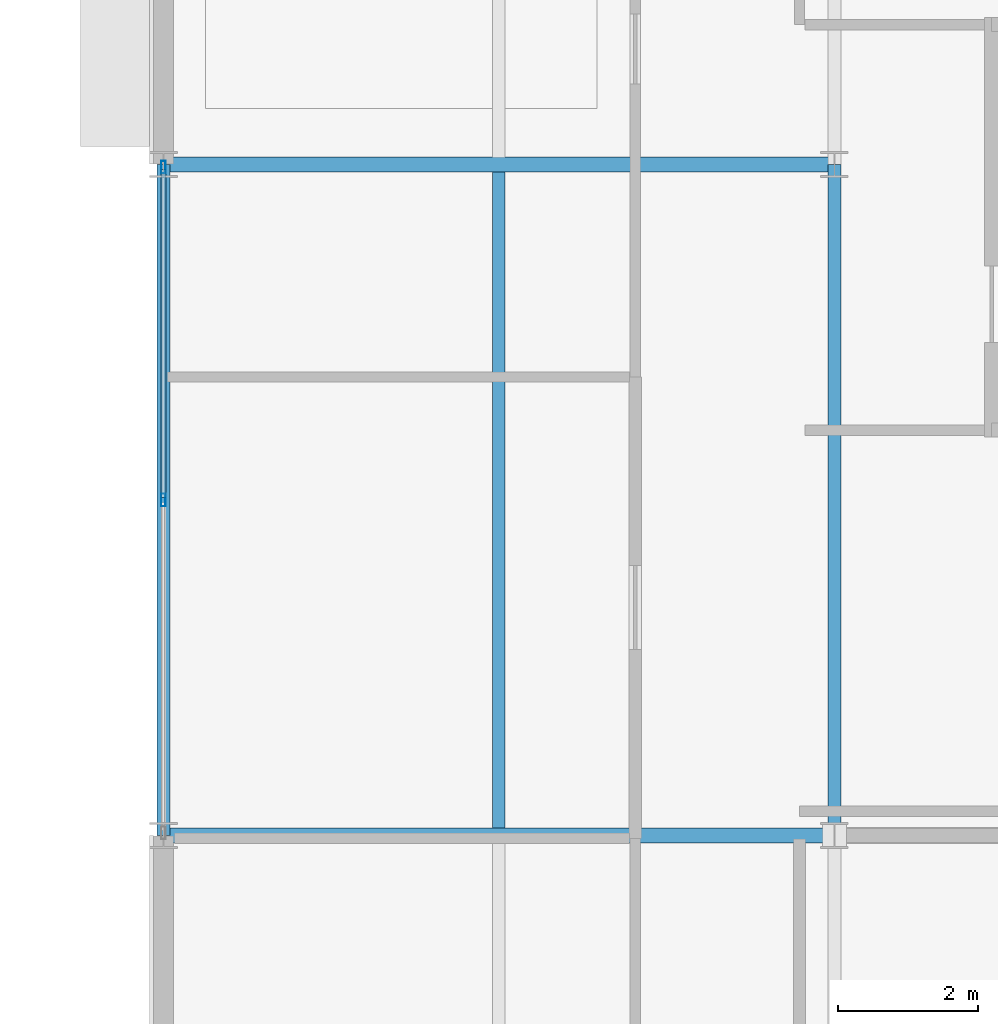
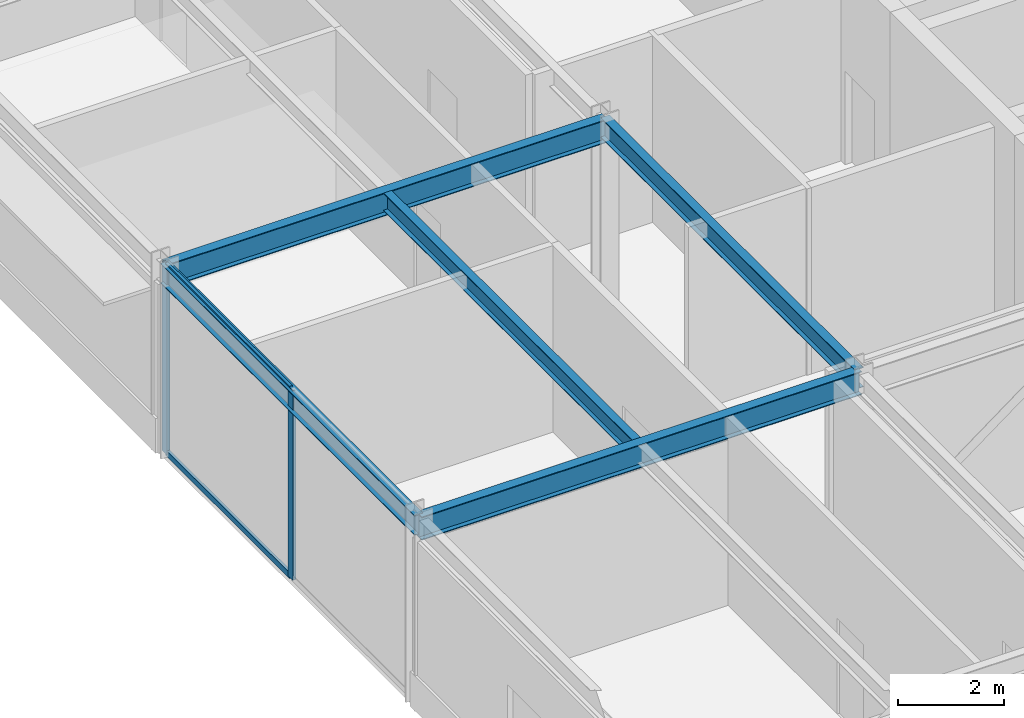
# One storey, part 81 of 133: 5 beams, 4 members, 1 element without a shape of its own.
"""IFC4 building model written with IfcOpenShell, lengths in metres."""

from ifc_helpers import new_model, si_unit, direction, frame, origin, origin_2d, place, context, subcontext, project, spatial, hollow_rectangle, i_section, extrude, material, material_profile, profile_set, type_object, element, aggregate, save


model = new_model("IFC4")

# Units and contexts
model_context = context("Model", 3, precision=1e-05, world=origin(), true_north=direction((0.0, 1.0)))
body_context = subcontext(model_context, "Body", "Model", "MODEL_VIEW")
ifc_project = project(units=[si_unit("LENGTHUNIT", "METRE"), si_unit("AREAUNIT", "SQUARE_METRE"), si_unit("VOLUMEUNIT", "CUBIC_METRE"), si_unit("PLANEANGLEUNIT", "RADIAN"), si_unit("MASSUNIT", "GRAM", prefix="KILO")], contexts=[model_context])

# Site, building, storey
site_placement = place(None, origin())
site = spatial("IfcSite", under=ifc_project, at=site_placement, CompositionType="ELEMENT")
building_placement = place(site_placement, origin())
building = spatial("IfcBuilding", under=site, at=building_placement, Name="Almandine Court Research Institute", CompositionType="ELEMENT")
storey_placement = place(building_placement, frame((0.0, 0.0, 9.800048828125)))
storey = spatial("IfcBuildingStorey", under=building, at=storey_placement, Name="L02", CompositionType="ELEMENT", Elevation=9.800048828125)

# Beams
ifc_material_1 = material(Name="Steel ASTM A992 Grade 50", Category="steel")
ifc_material_profile_1 = material_profile(ifc_material_1, i_section(OverallWidth=0.18994140625, OverallDepth=0.45703125, WebThickness=0.009033203125, FlangeThickness=0.014892578125, at=origin_2d()), Name="W460x74")
ifc_profile_set_1 = profile_set([ifc_material_profile_1], Name="Steel ASTM A992 Grade 50")
beam_type_1 = type_object("IfcBeamType", Name="Beam-B-01", PredefinedType="BEAM", material=ifc_profile_set_1)
for number, where, z_axis, x_axis, name in (
    (1, (153.60009765625, 15.60009765625, 4.140869140625), (0.0, 1.0, 0.0), (-1.0, 0.0, 0.0), "L02 V4 Primary Y Girder"),
    (2, (163.199951171875, 15.60009765625, 4.140869140625), (0.0, 1.0, 0.0), (-1.0, 0.0, 0.0), "L02 V4 Primary Y Girder"),
):
    element("IfcBeam", number, at=place(storey_placement, frame(where, z_axis=z_axis, x_axis=x_axis)), inside=storey, type_object=beam_type_1, Name=name, PredefinedType="BEAM", context=body_context, shape_type="SweptSolid", body=[
        extrude(i_section(OverallWidth=0.18994140625, OverallDepth=0.45703125, WebThickness=0.009033203125, FlangeThickness=0.014892578125, at=origin_2d()), origin(), (0.0, 0.0, 1.0), 9.599853515625),
    ])
ifc_material_profile_2 = material_profile(ifc_material_1, i_section(OverallWidth=0.178955078125, OverallDepth=0.409912109375, WebThickness=0.009033203125, FlangeThickness=0.013916015625, at=origin_2d()), Name="W410x67")
ifc_profile_set_2 = profile_set([ifc_material_profile_2], Name="Steel ASTM A992 Grade 50")
beam_type_2 = type_object("IfcBeamType", Name="Beam-B-02", PredefinedType="JOIST", material=ifc_profile_set_2)
beam_placement = place(storey_placement, frame((158.39990234375, 15.7041015625, 4.1650390625), z_axis=(0.0, 1.0, 0.0), x_axis=(-1.0, 0.0, 0.0)))
element("IfcBeam", 3, at=beam_placement, inside=storey, type_object=beam_type_2, Name="L02 V4 Composite Secondary Beam", PredefinedType="JOIST", context=body_context, shape_type="SweptSolid", body=[
    extrude(i_section(OverallWidth=0.178955078125, OverallDepth=0.409912109375, WebThickness=0.009033203125, FlangeThickness=0.013916015625, at=origin_2d()), origin(), (0.0, 0.0, 1.0), 9.391845703125),
])
ifc_material_profile_3 = material_profile(ifc_material_1, i_section(OverallWidth=0.2109375, OverallDepth=0.5390625, WebThickness=0.011962890625, FlangeThickness=0.01904296875, at=origin_2d()), Name="W530x109")
ifc_profile_set_3 = profile_set([ifc_material_profile_3], Name="Steel ASTM A992 Grade 50")
beam_type_3 = type_object("IfcBeamType", Name="Beam-G-04", PredefinedType="BEAM", material=ifc_profile_set_3)
for number, where, z_axis, x_axis, name in (
    (4, (153.60009765625, 15.60009765625, 4.099853515625), (1.0, 0.0, 0.0), (0.0, 1.0, 0.0), "L02 V4 Primary X Girder"),
    (5, (153.60009765625, 25.199951171875, 4.099853515625), (1.0, 0.0, 0.0), (0.0, 1.0, 0.0), "L02 V4 Primary X Girder"),
):
    element("IfcBeam", number, at=place(storey_placement, frame(where, z_axis=z_axis, x_axis=x_axis)), inside=storey, type_object=beam_type_3, Name=name, PredefinedType="BEAM", context=body_context, shape_type="SweptSolid", body=[
        extrude(i_section(OverallWidth=0.2109375, OverallDepth=0.5390625, WebThickness=0.011962890625, FlangeThickness=0.01904296875, at=origin_2d()), origin(), (0.0, 0.0, 1.0), 9.599853515625),
    ])

# Curtain wall, members
ifc_material_2 = material(Name="Unitised Curtain Wall Framing and Solar Glazing", Category="glass")
curtain_wall_type = type_object("IfcCurtainWallType", Name="CW-CWJ-02", PredefinedType="USERDEFINED", material=ifc_material_2)
curtain_wall_placement = place(storey_placement, origin())
curtain_wall = element("IfcCurtainWall", 6, at=curtain_wall_placement, inside=storey, type_object=curtain_wall_type, Name="L02 Wet Lab West Courtyard Jali Curtain Wall 2", ObjectType="SOLAR JALI SCREEN", PredefinedType="USERDEFINED")
ifc_material_3 = material(Name="Anodised Aluminium AW-6063-T6", Category="aluminium")
ifc_material_profile_4 = material_profile(ifc_material_3, hollow_rectangle(XDim=0.06494140625, YDim=0.179931640625, WallThickness=0.00390625, at=origin_2d()), Name="ALU RHS 65x180x4")
ifc_profile_set_4 = profile_set([ifc_material_profile_4], Name="Anodised Aluminium AW-6063-T6")
member_type_1 = type_object("IfcMemberType", Name="CWMul-65x180", PredefinedType="MULLION", material=ifc_profile_set_4)
member_1_placement = place(storey_placement, frame((153.60009765625, 20.39990234375, 0.0), z_axis=(0.0, 0.0, 1.0), x_axis=(-1.0, 0.0, 0.0)))
member_1 = element("IfcMember", 7, at=member_1_placement, type_object=member_type_1, Name="CWJ-02 mullion 2", PredefinedType="MULLION", context=body_context, shape_type="SweptSolid", body=[
    extrude(hollow_rectangle(XDim=0.06494140625, YDim=0.179931640625, WallThickness=0.00390625, at=origin_2d()), origin(), (0.0, 0.0, 1.0), 4.369873046875),
])
member_2_placement = place(storey_placement, frame((153.60009765625, 25.16357421875, 0.0), z_axis=(0.0, 0.0, 1.0), x_axis=(-1.0, 0.0, 0.0)))
member_2 = element("IfcMember", 8, at=member_2_placement, type_object=member_type_1, Name="CWJ-02 mullion 3", PredefinedType="MULLION", context=body_context, shape_type="SweptSolid", body=[
    extrude(hollow_rectangle(XDim=0.06494140625, YDim=0.179931640625, WallThickness=0.00390625, at=origin_2d()), origin(), (0.0, 0.0, 1.0), 4.369873046875),
])
ifc_material_profile_5 = material_profile(ifc_material_3, hollow_rectangle(XDim=0.06494140625, YDim=0.1298828125, WallThickness=0.00390625, at=origin_2d()), Name="ALU RHS 65x130x4")
ifc_profile_set_5 = profile_set([ifc_material_profile_5], Name="Anodised Aluminium AW-6063-T6")
member_type_2 = type_object("IfcMemberType", Name="CWTrn-65x130", PredefinedType="NOTDEFINED", material=ifc_profile_set_5)
member_3_placement = place(storey_placement, frame((153.60009765625, 20.4326171875, 0.032470703125), z_axis=(0.0, 1.0, 0.0), x_axis=(-1.0, 0.0, 0.0)))
member_3 = element("IfcMember", 9, at=member_3_placement, type_object=member_type_2, Name="CWJ-02 transom 2.1", ObjectType="TRANSOM", PredefinedType="USERDEFINED", context=body_context, shape_type="SweptSolid", body=[
    extrude(hollow_rectangle(XDim=0.06494140625, YDim=0.1298828125, WallThickness=0.00390625, at=origin_2d()), origin(), (0.0, 0.0, 1.0), 4.698486328125),
])
member_4_placement = place(storey_placement, frame((153.60009765625, 20.4326171875, 4.33740234375), z_axis=(0.0, 1.0, 0.0), x_axis=(-1.0, 0.0, 0.0)))
member_4 = element("IfcMember", 10, at=member_4_placement, type_object=member_type_2, Name="CWJ-02 transom 2.2", ObjectType="TRANSOM", PredefinedType="USERDEFINED", context=body_context, shape_type="SweptSolid", body=[
    extrude(hollow_rectangle(XDim=0.06494140625, YDim=0.1298828125, WallThickness=0.00390625, at=origin_2d()), origin(), (0.0, 0.0, 1.0), 4.698486328125),
])
aggregate(curtain_wall, [member_1, member_2, member_3, member_4])

save(model, "model.ifc")
